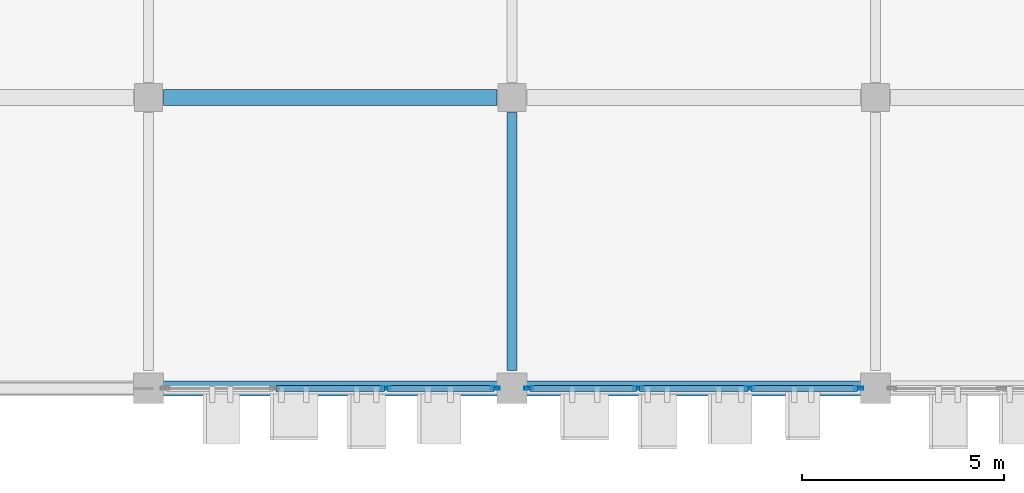
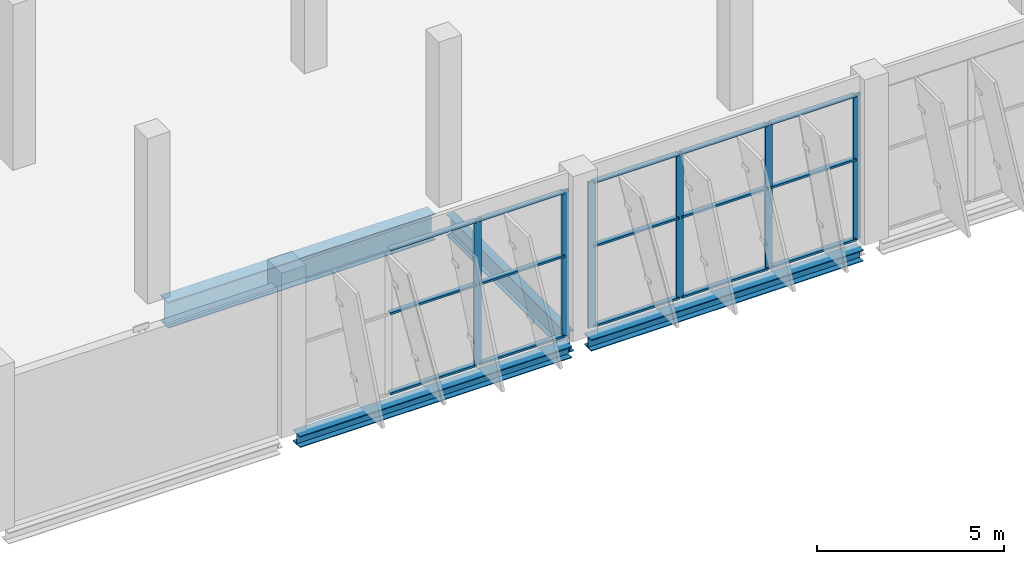
# One storey, part 50 of 189: 21 members, 4 beams, 2 elements without a shape of their own.
"""IFC4 building model written with IfcOpenShell, lengths in metres."""

from ifc_helpers import new_model, si_unit, direction, frame, origin, origin_2d, place, context, subcontext, project, spatial, hollow_rectangle, i_section, extrude, material, layer, layer_set, material_profile, profile_set, type_object, element, aggregate, save


model = new_model("IFC4")

# Units and contexts
model_context = context("Model", 3, precision=1e-05, world=origin(), true_north=direction((0.0, 1.0)))
body_context = subcontext(model_context, "Body", "Model", "MODEL_VIEW")
ifc_project = project(units=[si_unit("LENGTHUNIT", "METRE"), si_unit("AREAUNIT", "SQUARE_METRE"), si_unit("VOLUMEUNIT", "CUBIC_METRE"), si_unit("PLANEANGLEUNIT", "RADIAN"), si_unit("MASSUNIT", "GRAM", prefix="KILO")], contexts=[model_context])

# Site, building, storey
site_placement = place(None, origin())
site = spatial("IfcSite", under=ifc_project, at=site_placement, CompositionType="ELEMENT")
building_placement = place(site_placement, origin())
building = spatial("IfcBuilding", under=site, at=building_placement, Name="Celestram Park Convention Centre", CompositionType="ELEMENT")
storey_placement = place(building_placement, frame((0.0, 0.0, 5.39990234375)))
storey = spatial("IfcBuildingStorey", under=building, at=storey_placement, Name="L01", CompositionType="ELEMENT", Elevation=5.39990234375)

# Curtain wall, members
ifc_material_1 = material(Name="Anodised Aluminium Alloy 6063-T6", Category="aluminium")
ifc_layer = layer(ifc_material_1, 0.179931640625)
ifc_layer_set = layer_set([ifc_layer], Name="Anodised Aluminium Alloy 6063-T6")
curtain_wall_type = type_object("IfcCurtainWallType", Name="ARC-CW-825X476", PredefinedType="NOTDEFINED", material=ifc_layer_set)
curtain_wall_1_placement = place(storey_placement, origin())
curtain_wall_1 = element("IfcCurtainWall", 1, at=curtain_wall_1_placement, inside=storey, type_object=curtain_wall_type, Name="Unitised curtain wall CU-L01-109", PredefinedType="NOTDEFINED")
ifc_material_profile_1 = material_profile(ifc_material_1, hollow_rectangle(XDim=0.074951171875, YDim=0.219970703125, WallThickness=0.00390625, at=origin_2d()), Name="ALU75X220X4")
ifc_profile_set_1 = profile_set([ifc_material_profile_1], Name="Anodised Aluminium Alloy 6063-T6")
member_type_1 = type_object("IfcMemberType", Name="ARC-CWM-180", PredefinedType="MULLION", material=ifc_profile_set_1)
member_1_placement = place(storey_placement, frame((188.589599609375, 0.0, 0.0), z_axis=(0.0, 0.0, 1.0), x_axis=(0.0, -1.0, 0.0)))
member_1 = element("IfcMember", 2, at=member_1_placement, type_object=member_type_1, Name="CW-82X47 mullion 1", PredefinedType="MULLION", context=body_context, shape_type="SweptSolid", body=[
    extrude(hollow_rectangle(XDim=0.074951171875, YDim=0.219970703125, WallThickness=0.00390625, at=origin_2d()), origin(), (0.0, 0.0, 1.0), 4.76416015625),
])
member_2_placement = place(storey_placement, frame((185.875732421875, 0.0, 0.0), z_axis=(0.0, 0.0, 1.0), x_axis=(0.0, -1.0, 0.0)))
member_2 = element("IfcMember", 3, at=member_2_placement, type_object=member_type_1, Name="CW-82X47 mullion 2", PredefinedType="MULLION", context=body_context, shape_type="SweptSolid", body=[
    extrude(hollow_rectangle(XDim=0.074951171875, YDim=0.219970703125, WallThickness=0.00390625, at=origin_2d()), origin(), (0.0, 0.0, 1.0), 4.76416015625),
])
member_3_placement = place(storey_placement, frame((183.124267578125, 0.0, 0.0), z_axis=(0.0, 0.0, 1.0), x_axis=(0.0, -1.0, 0.0)))
member_3 = element("IfcMember", 4, at=member_3_placement, type_object=member_type_1, Name="CW-82X47 mullion 3", PredefinedType="MULLION", context=body_context, shape_type="SweptSolid", body=[
    extrude(hollow_rectangle(XDim=0.074951171875, YDim=0.219970703125, WallThickness=0.00390625, at=origin_2d()), origin(), (0.0, 0.0, 1.0), 4.76416015625),
])
member_4_placement = place(storey_placement, frame((180.410400390625, 0.0, 0.0), z_axis=(0.0, 0.0, 1.0), x_axis=(0.0, -1.0, 0.0)))
member_4 = element("IfcMember", 5, at=member_4_placement, type_object=member_type_1, Name="CW-82X47 mullion 4", PredefinedType="MULLION", context=body_context, shape_type="SweptSolid", body=[
    extrude(hollow_rectangle(XDim=0.074951171875, YDim=0.219970703125, WallThickness=0.00390625, at=origin_2d()), origin(), (0.0, 0.0, 1.0), 4.76416015625),
])

curtain_wall_2_placement = place(storey_placement, origin())
curtain_wall_2 = element("IfcCurtainWall", 6, at=curtain_wall_2_placement, inside=storey, type_object=curtain_wall_type, Name="Unitised curtain wall CU-L01-110", PredefinedType="NOTDEFINED")
member_5_placement = place(storey_placement, frame((179.589599609375, 0.0, 0.0), z_axis=(0.0, 0.0, 1.0), x_axis=(0.0, -1.0, 0.0)))
member_5 = element("IfcMember", 7, at=member_5_placement, type_object=member_type_1, Name="CW-82X47 mullion 1", PredefinedType="MULLION", context=body_context, shape_type="SweptSolid", body=[
    extrude(hollow_rectangle(XDim=0.074951171875, YDim=0.219970703125, WallThickness=0.00390625, at=origin_2d()), origin(), (0.0, 0.0, 1.0), 4.76416015625),
])
member_6_placement = place(storey_placement, frame((176.875732421875, 0.0, 0.0), z_axis=(0.0, 0.0, 1.0), x_axis=(0.0, -1.0, 0.0)))
member_6 = element("IfcMember", 8, at=member_6_placement, type_object=member_type_1, Name="CW-82X47 mullion 2", PredefinedType="MULLION", context=body_context, shape_type="SweptSolid", body=[
    extrude(hollow_rectangle(XDim=0.074951171875, YDim=0.219970703125, WallThickness=0.00390625, at=origin_2d()), origin(), (0.0, 0.0, 1.0), 4.76416015625),
])

# Member
ifc_material_profile_2 = material_profile(ifc_material_1, hollow_rectangle(XDim=0.14990234375, YDim=0.06494140625, WallThickness=0.0029296875, at=origin_2d()), Name="ALU150X65X3")
ifc_profile_set_2 = profile_set([ifc_material_profile_2], Name="Anodised Aluminium Alloy 6063-T6")
member_type_2 = type_object("IfcMemberType", Name="ARC-CWT-150", PredefinedType="USERDEFINED", material=ifc_profile_set_2)
member_7_placement = place(storey_placement, frame((188.552001953125, 0.0, 0.03271484375), z_axis=(-1.0, 0.0, 0.0), x_axis=(0.0, -1.0, 0.0)))
member_7 = element("IfcMember", 9, at=member_7_placement, type_object=member_type_2, Name="CW-82X47 transom 1.1", ObjectType="TRANSOM", PredefinedType="USERDEFINED", context=body_context, shape_type="SweptSolid", body=[
    extrude(hollow_rectangle(XDim=0.14990234375, YDim=0.06494140625, WallThickness=0.0029296875, at=origin_2d()), origin(), (0.0, 0.0, 1.0), 2.638916015625),
])

member_8_placement = place(storey_placement, frame((188.552001953125, 0.0, 2.650146484375), z_axis=(-1.0, 0.0, 0.0), x_axis=(0.0, -1.0, 0.0)))
member_8 = element("IfcMember", 10, at=member_8_placement, type_object=member_type_2, Name="CW-82X47 transom 1.2", ObjectType="TRANSOM", PredefinedType="USERDEFINED", context=body_context, shape_type="SweptSolid", body=[
    extrude(hollow_rectangle(XDim=0.14990234375, YDim=0.06494140625, WallThickness=0.0029296875, at=origin_2d()), origin(), (0.0, 0.0, 1.0), 2.638916015625),
])

member_9_placement = place(storey_placement, frame((188.552001953125, 0.0, 4.731689453125), z_axis=(-1.0, 0.0, 0.0), x_axis=(0.0, -1.0, 0.0)))
member_9 = element("IfcMember", 11, at=member_9_placement, type_object=member_type_2, Name="CW-82X47 transom 1.3", ObjectType="TRANSOM", PredefinedType="USERDEFINED", context=body_context, shape_type="SweptSolid", body=[
    extrude(hollow_rectangle(XDim=0.14990234375, YDim=0.06494140625, WallThickness=0.0029296875, at=origin_2d()), origin(), (0.0, 0.0, 1.0), 2.638916015625),
])

member_10_placement = place(storey_placement, frame((185.838134765625, 0.0, 0.03271484375), z_axis=(-1.0, 0.0, 0.0), x_axis=(0.0, -1.0, 0.0)))
member_10 = element("IfcMember", 12, at=member_10_placement, type_object=member_type_2, Name="CW-82X47 transom 2.1", ObjectType="TRANSOM", PredefinedType="USERDEFINED", context=body_context, shape_type="SweptSolid", body=[
    extrude(hollow_rectangle(XDim=0.14990234375, YDim=0.06494140625, WallThickness=0.0029296875, at=origin_2d()), origin(), (0.0, 0.0, 1.0), 2.67626953125),
])

member_11_placement = place(storey_placement, frame((185.838134765625, 0.0, 2.650146484375), z_axis=(-1.0, 0.0, 0.0), x_axis=(0.0, -1.0, 0.0)))
member_11 = element("IfcMember", 13, at=member_11_placement, type_object=member_type_2, Name="CW-82X47 transom 2.2", ObjectType="TRANSOM", PredefinedType="USERDEFINED", context=body_context, shape_type="SweptSolid", body=[
    extrude(hollow_rectangle(XDim=0.14990234375, YDim=0.06494140625, WallThickness=0.0029296875, at=origin_2d()), origin(), (0.0, 0.0, 1.0), 2.67626953125),
])

member_12_placement = place(storey_placement, frame((185.838134765625, 0.0, 4.731689453125), z_axis=(-1.0, 0.0, 0.0), x_axis=(0.0, -1.0, 0.0)))
member_12 = element("IfcMember", 14, at=member_12_placement, type_object=member_type_2, Name="CW-82X47 transom 2.3", ObjectType="TRANSOM", PredefinedType="USERDEFINED", context=body_context, shape_type="SweptSolid", body=[
    extrude(hollow_rectangle(XDim=0.14990234375, YDim=0.06494140625, WallThickness=0.0029296875, at=origin_2d()), origin(), (0.0, 0.0, 1.0), 2.67626953125),
])

member_13_placement = place(storey_placement, frame((183.0869140625, 0.0, 0.03271484375), z_axis=(-1.0, 0.0, 0.0), x_axis=(0.0, -1.0, 0.0)))
member_13 = element("IfcMember", 15, at=member_13_placement, type_object=member_type_2, Name="CW-82X47 transom 3.1", ObjectType="TRANSOM", PredefinedType="USERDEFINED", context=body_context, shape_type="SweptSolid", body=[
    extrude(hollow_rectangle(XDim=0.14990234375, YDim=0.06494140625, WallThickness=0.0029296875, at=origin_2d()), origin(), (0.0, 0.0, 1.0), 2.638916015625),
])

member_14_placement = place(storey_placement, frame((183.0869140625, 0.0, 2.650146484375), z_axis=(-1.0, 0.0, 0.0), x_axis=(0.0, -1.0, 0.0)))
member_14 = element("IfcMember", 16, at=member_14_placement, type_object=member_type_2, Name="CW-82X47 transom 3.2", ObjectType="TRANSOM", PredefinedType="USERDEFINED", context=body_context, shape_type="SweptSolid", body=[
    extrude(hollow_rectangle(XDim=0.14990234375, YDim=0.06494140625, WallThickness=0.0029296875, at=origin_2d()), origin(), (0.0, 0.0, 1.0), 2.638916015625),
])

member_15_placement = place(storey_placement, frame((183.0869140625, 0.0, 4.731689453125), z_axis=(-1.0, 0.0, 0.0), x_axis=(0.0, -1.0, 0.0)))
member_15 = element("IfcMember", 17, at=member_15_placement, type_object=member_type_2, Name="CW-82X47 transom 3.3", ObjectType="TRANSOM", PredefinedType="USERDEFINED", context=body_context, shape_type="SweptSolid", body=[
    extrude(hollow_rectangle(XDim=0.14990234375, YDim=0.06494140625, WallThickness=0.0029296875, at=origin_2d()), origin(), (0.0, 0.0, 1.0), 2.638916015625),
])

aggregate(curtain_wall_1, [member_1, member_2, member_3, member_4, member_7, member_8, member_9, member_10, member_11, member_12, member_13, member_14, member_15])

member_16_placement = place(storey_placement, frame((179.552001953125, 0.0, 0.03271484375), z_axis=(-1.0, 0.0, 0.0), x_axis=(0.0, -1.0, 0.0)))
member_16 = element("IfcMember", 18, at=member_16_placement, type_object=member_type_2, Name="CW-82X47 transom 1.1", ObjectType="TRANSOM", PredefinedType="USERDEFINED", context=body_context, shape_type="SweptSolid", body=[
    extrude(hollow_rectangle(XDim=0.14990234375, YDim=0.06494140625, WallThickness=0.0029296875, at=origin_2d()), origin(), (0.0, 0.0, 1.0), 2.638916015625),
])

member_17_placement = place(storey_placement, frame((179.552001953125, 0.0, 2.650146484375), z_axis=(-1.0, 0.0, 0.0), x_axis=(0.0, -1.0, 0.0)))
member_17 = element("IfcMember", 19, at=member_17_placement, type_object=member_type_2, Name="CW-82X47 transom 1.2", ObjectType="TRANSOM", PredefinedType="USERDEFINED", context=body_context, shape_type="SweptSolid", body=[
    extrude(hollow_rectangle(XDim=0.14990234375, YDim=0.06494140625, WallThickness=0.0029296875, at=origin_2d()), origin(), (0.0, 0.0, 1.0), 2.638916015625),
])

member_18_placement = place(storey_placement, frame((179.552001953125, 0.0, 4.731689453125), z_axis=(-1.0, 0.0, 0.0), x_axis=(0.0, -1.0, 0.0)))
member_18 = element("IfcMember", 20, at=member_18_placement, type_object=member_type_2, Name="CW-82X47 transom 1.3", ObjectType="TRANSOM", PredefinedType="USERDEFINED", context=body_context, shape_type="SweptSolid", body=[
    extrude(hollow_rectangle(XDim=0.14990234375, YDim=0.06494140625, WallThickness=0.0029296875, at=origin_2d()), origin(), (0.0, 0.0, 1.0), 2.638916015625),
])

member_19_placement = place(storey_placement, frame((176.838134765625, 0.0, 0.03271484375), z_axis=(-1.0, 0.0, 0.0), x_axis=(0.0, -1.0, 0.0)))
member_19 = element("IfcMember", 21, at=member_19_placement, type_object=member_type_2, Name="CW-82X47 transom 2.1", ObjectType="TRANSOM", PredefinedType="USERDEFINED", context=body_context, shape_type="SweptSolid", body=[
    extrude(hollow_rectangle(XDim=0.14990234375, YDim=0.06494140625, WallThickness=0.0029296875, at=origin_2d()), origin(), (0.0, 0.0, 1.0), 2.67626953125),
])

member_20_placement = place(storey_placement, frame((176.838134765625, 0.0, 2.650146484375), z_axis=(-1.0, 0.0, 0.0), x_axis=(0.0, -1.0, 0.0)))
member_20 = element("IfcMember", 22, at=member_20_placement, type_object=member_type_2, Name="CW-82X47 transom 2.2", ObjectType="TRANSOM", PredefinedType="USERDEFINED", context=body_context, shape_type="SweptSolid", body=[
    extrude(hollow_rectangle(XDim=0.14990234375, YDim=0.06494140625, WallThickness=0.0029296875, at=origin_2d()), origin(), (0.0, 0.0, 1.0), 2.67626953125),
])

member_21_placement = place(storey_placement, frame((176.838134765625, 0.0, 4.731689453125), z_axis=(-1.0, 0.0, 0.0), x_axis=(0.0, -1.0, 0.0)))
member_21 = element("IfcMember", 23, at=member_21_placement, type_object=member_type_2, Name="CW-82X47 transom 2.3", ObjectType="TRANSOM", PredefinedType="USERDEFINED", context=body_context, shape_type="SweptSolid", body=[
    extrude(hollow_rectangle(XDim=0.14990234375, YDim=0.06494140625, WallThickness=0.0029296875, at=origin_2d()), origin(), (0.0, 0.0, 1.0), 2.67626953125),
])

aggregate(curtain_wall_2, [member_5, member_6, member_16, member_17, member_18, member_19, member_20, member_21])

# Beams
ifc_material_2 = material(Name="Steel ASTM A992 Grade 50", Category="steel")
ifc_material_profile_3 = material_profile(ifc_material_2, i_section(OverallWidth=0.25390625, OverallDepth=0.68310546875, WebThickness=0.012451171875, FlangeThickness=0.01904296875, at=origin_2d()), Name="W27X94")
ifc_profile_set_3 = profile_set([ifc_material_profile_3], Name="Steel ASTM A992 Grade 50")
beam_type_1 = type_object("IfcBeamType", Name="STR-BM-W27X94", PredefinedType="BEAM", material=ifc_profile_set_3)
beam_1_placement = place(storey_placement, frame((180.0, 0.447998046875, -0.621337890625), z_axis=(0.0, 1.0, 0.0), x_axis=(-1.0, 0.0, 0.0)))
element("IfcBeam", 24, at=beam_1_placement, inside=storey, type_object=beam_type_1, Name="Primary Y-girder BG-L01-0435", PredefinedType="BEAM", context=body_context, shape_type="SweptSolid", body=[
    extrude(i_section(OverallWidth=0.25390625, OverallDepth=0.68310546875, WebThickness=0.012451171875, FlangeThickness=0.01904296875, at=origin_2d()), origin(), (0.0, 0.0, 1.0), 6.37890625),
])
ifc_material_profile_4 = material_profile(ifc_material_2, i_section(OverallWidth=0.40087890625, OverallDepth=0.85595703125, WebThickness=0.018310546875, FlangeThickness=0.029296875, at=origin_2d()), Name="W33X201")
ifc_profile_set_4 = profile_set([ifc_material_profile_4], Name="Steel ASTM A992 Grade 50")
beam_type_2 = type_object("IfcBeamType", Name="STR-BM-W33X201", PredefinedType="BEAM", material=ifc_profile_set_4)
beam_2_placement = place(storey_placement, frame((171.373046875, 7.199951171875, -0.7080078125), z_axis=(1.0, 0.0, 0.0), x_axis=(0.0, 1.0, 0.0)))
element("IfcBeam", 25, at=beam_2_placement, inside=storey, type_object=beam_type_2, Name="Primary X-girder BG-L01-0410", PredefinedType="BEAM", context=body_context, shape_type="SweptSolid", body=[
    extrude(i_section(OverallWidth=0.40087890625, OverallDepth=0.85595703125, WebThickness=0.018310546875, FlangeThickness=0.029296875, at=origin_2d()), origin(), (0.0, 0.0, 1.0), 8.25390625),
])
ifc_material_profile_5 = material_profile(ifc_material_2, i_section(OverallWidth=0.373046875, OverallDepth=0.373046875, WebThickness=0.016357421875, FlangeThickness=0.026123046875, at=origin_2d()), Name="W14X132")
ifc_profile_set_5 = profile_set([ifc_material_profile_5], Name="Steel ASTM A992 Grade 50")
beam_type_3 = type_object("IfcBeamType", Name="STR-SPN-W14X132", PredefinedType="SPANDREL", material=ifc_profile_set_5)
for number, where, z_axis, x_axis, name in (
    (26, (171.298095703125, 0.0, -0.46630859375), (1.0, 0.0, 0.0), (0.0, 1.0, 0.0), "Primary X-girder BG-L01-0408"),
    (27, (180.298095703125, 0.0, -0.46630859375), (1.0, 0.0, 0.0), (0.0, 1.0, 0.0), "Primary X-girder BG-L01-0434"),
):
    element("IfcBeam", number, at=place(storey_placement, frame(where, z_axis=z_axis, x_axis=x_axis)), inside=storey, type_object=beam_type_3, Name=name, PredefinedType="SPANDREL", context=body_context, shape_type="SweptSolid", body=[
        extrude(i_section(OverallWidth=0.373046875, OverallDepth=0.373046875, WebThickness=0.016357421875, FlangeThickness=0.026123046875, at=origin_2d()), origin(), (0.0, 0.0, 1.0), 8.40380859375),
    ])

save(model, "model.ifc")
